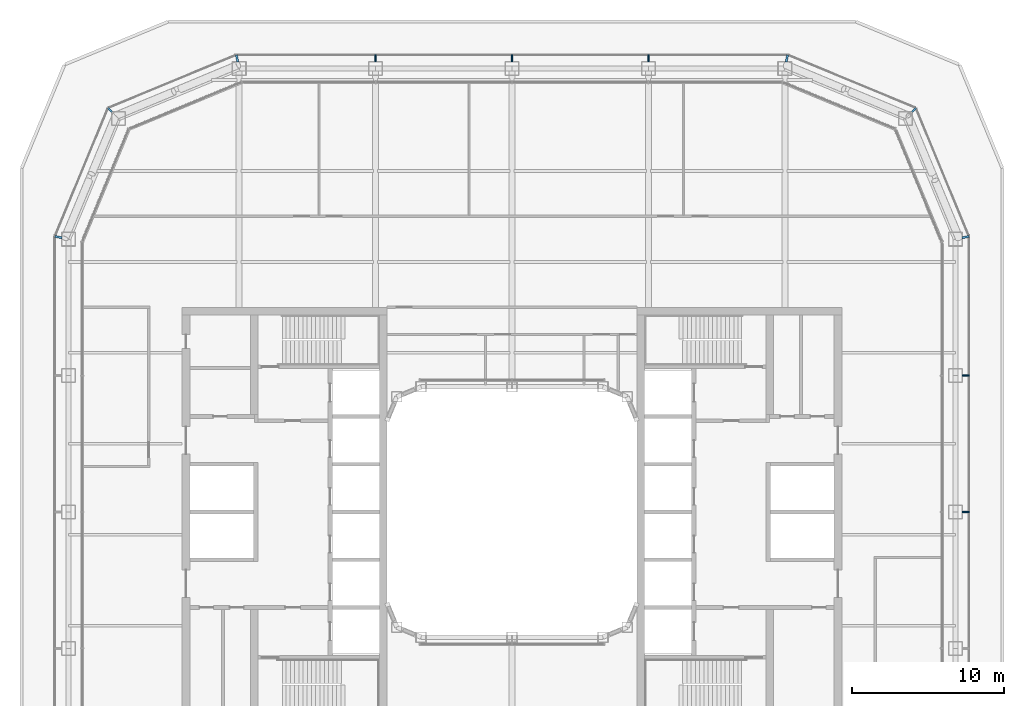
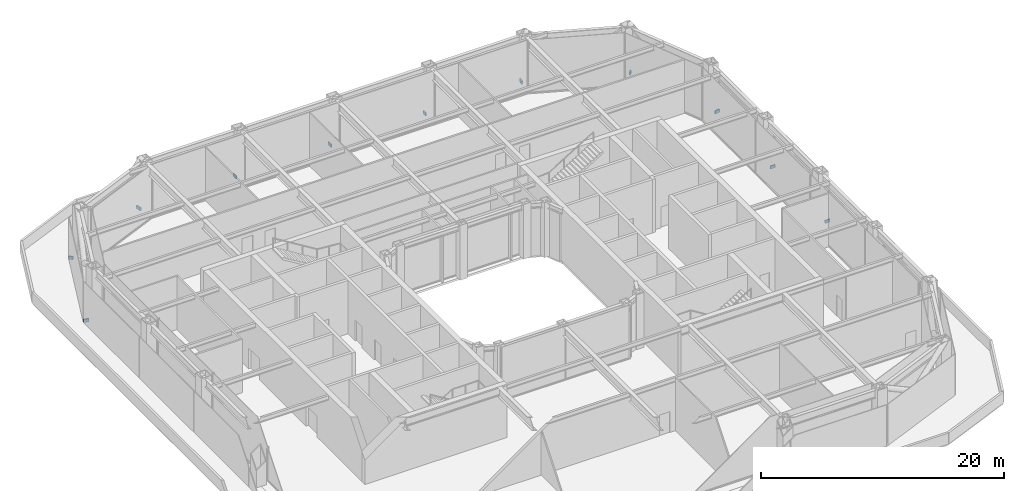
# One storey, part 16 of 21: 11 discrete accessories.
"""IFC4 building model written with IfcOpenShell, lengths in metres."""

from ifc_helpers import new_model, si_unit, direction, frame, origin, origin_2d, place, context, subcontext, project, spatial, rectangle, extrude, material, type_object, element, save


model = new_model("IFC4")

# Units and contexts
model_context = context("Model", 3, precision=1e-05, world=origin(), true_north=direction((0.0, 1.0)))
body_context = subcontext(model_context, "Body", "Model", "MODEL_VIEW")
ifc_project = project(units=[si_unit("LENGTHUNIT", "METRE"), si_unit("AREAUNIT", "SQUARE_METRE"), si_unit("VOLUMEUNIT", "CUBIC_METRE"), si_unit("PLANEANGLEUNIT", "RADIAN"), si_unit("MASSUNIT", "GRAM", prefix="KILO")], contexts=[model_context])

# Site, building, storey
site_placement = place(None, origin())
site = spatial("IfcSite", under=ifc_project, at=site_placement, CompositionType="ELEMENT")
building_placement = place(site_placement, origin())
building = spatial("IfcBuilding", under=site, at=building_placement, Name="Siwar Civic Tower", CompositionType="ELEMENT")
storey_placement = place(building_placement, frame((0.0, 0.0, 99.199951171875)))
storey = spatial("IfcBuildingStorey", under=building, at=storey_placement, Name="L21", CompositionType="ELEMENT", Elevation=99.199951171875)

# Discrete accessories
ifc_material = material(Name="Stainless steel 316", Category="steel")
discrete_accessory_type = type_object("IfcDiscreteAccessoryType", Name="ENV-BRACKET", PredefinedType="BRACKET", material=ifc_material)
for number, where, z_axis, x_axis, name in (
    (1, (29.9150390625, 0.0, 0.0), (0.0, 0.0, 1.0), (1.0, 0.0, 0.0), "Bracket outer skin joint E-02"),
    (2, (29.9150390625, 9.0, 0.0), (0.0, 0.0, 1.0), (1.0, 0.0, 0.0), "Bracket outer skin joint E-03"),
    (3, (9.0, 29.9150390625, 0.0), (0.0, 0.0, 1.0), (0.0, 1.0, 0.0), "Bracket outer skin joint N-01"),
    (4, (0.0, 29.9150390625, 0.0), (0.0, 0.0, 1.0), (0.0, 1.0, 0.0), "Bracket outer skin joint N-02"),
    (5, (-9.0, 29.9150390625, 0.0), (0.0, 0.0, 1.0), (0.0, 1.0, 0.0), "Bracket outer skin joint N-03"),
):
    element("IfcDiscreteAccessory", number, at=place(storey_placement, frame(where, z_axis=z_axis, x_axis=x_axis)), inside=storey, type_object=discrete_accessory_type, Name=name, PredefinedType="BRACKET", context=body_context, shape_type="SweptSolid", body=[
        extrude(rectangle(XDim=0.469970703125, YDim=0.10009765625, at=origin_2d()), origin(), (0.0, 0.0, 1.0), 0.300048828125),
    ])
discrete_accessory_1_placement = place(storey_placement, frame((29.915283203125, 18.13232421875, 0.0), z_axis=(0.0, 0.0, 1.0), x_axis=(0.980785280403, 0.195090322016, 0.0)))
element("IfcDiscreteAccessory", 6, at=discrete_accessory_1_placement, inside=storey, type_object=discrete_accessory_type, Name="Bracket outer skin joint V04", PredefinedType="BRACKET", context=body_context, shape_type="SweptSolid", body=[
    extrude(rectangle(XDim=0.478759765625, YDim=0.13720703125, at=origin_2d()), origin(), (0.0, 0.0, 1.0), 0.300048828125),
])
discrete_accessory_2_placement = place(storey_placement, frame((26.517333984375, 26.517333984375, 0.0), z_axis=(0.0, 0.0, 1.0), x_axis=(0.707106781187, 0.707106781187, 0.0)))
element("IfcDiscreteAccessory", 7, at=discrete_accessory_2_placement, inside=storey, type_object=discrete_accessory_type, Name="Bracket outer skin joint V05", PredefinedType="BRACKET", context=body_context, shape_type="SweptSolid", body=[
    extrude(rectangle(XDim=0.357666015625, YDim=0.12939453125, at=origin_2d()), origin(), (0.0, 0.0, 1.0), 0.300048828125),
])
for number, where, z_axis, x_axis, name in (
    (8, (18.13232421875, 29.915283203125, 0.0), (0.0, 0.0, 1.0), (0.195090322016, 0.980785280403, 0.0), "Bracket outer skin joint V06"),
    (9, (-18.13232421875, 29.915283203125, 0.0), (0.0, 0.0, 1.0), (-0.195090322016, 0.980785280403, 0.0), "Bracket outer skin joint V07"),
):
    element("IfcDiscreteAccessory", number, at=place(storey_placement, frame(where, z_axis=z_axis, x_axis=x_axis)), inside=storey, type_object=discrete_accessory_type, Name=name, PredefinedType="BRACKET", context=body_context, shape_type="SweptSolid", body=[
        extrude(rectangle(XDim=0.478759765625, YDim=0.13720703125, at=origin_2d()), origin(), (0.0, 0.0, 1.0), 0.300048828125),
    ])
discrete_accessory_3_placement = place(storey_placement, frame((-26.517333984375, 26.517333984375, 0.0), z_axis=(0.0, 0.0, 1.0), x_axis=(-0.707106781187, 0.707106781187, 0.0)))
element("IfcDiscreteAccessory", 10, at=discrete_accessory_3_placement, inside=storey, type_object=discrete_accessory_type, Name="Bracket outer skin joint V08", PredefinedType="BRACKET", context=body_context, shape_type="SweptSolid", body=[
    extrude(rectangle(XDim=0.357666015625, YDim=0.12939453125, at=origin_2d()), origin(), (0.0, 0.0, 1.0), 0.300048828125),
])
discrete_accessory_4_placement = place(storey_placement, frame((-29.915283203125, 18.13232421875, 0.0), z_axis=(0.0, 0.0, 1.0), x_axis=(-0.980785280403, 0.195090322016, 0.0)))
element("IfcDiscreteAccessory", 11, at=discrete_accessory_4_placement, inside=storey, type_object=discrete_accessory_type, Name="Bracket outer skin joint V09", PredefinedType="BRACKET", context=body_context, shape_type="SweptSolid", body=[
    extrude(rectangle(XDim=0.478759765625, YDim=0.13720703125, at=origin_2d()), origin(), (0.0, 0.0, 1.0), 0.300048828125),
])

save(model, "model.ifc")
